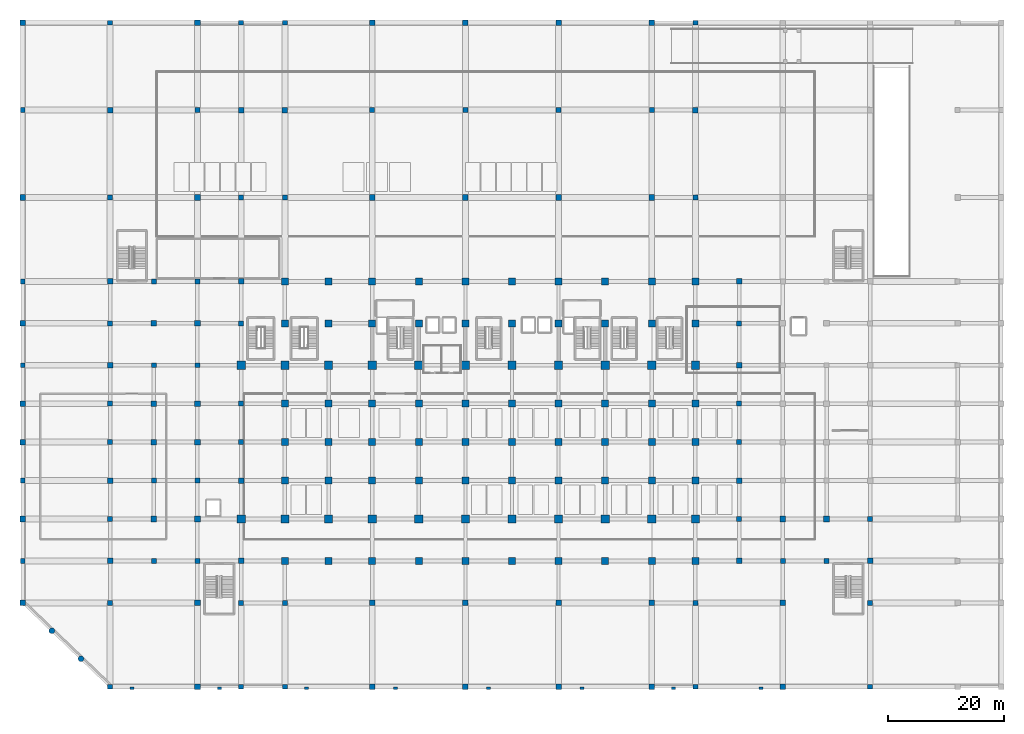
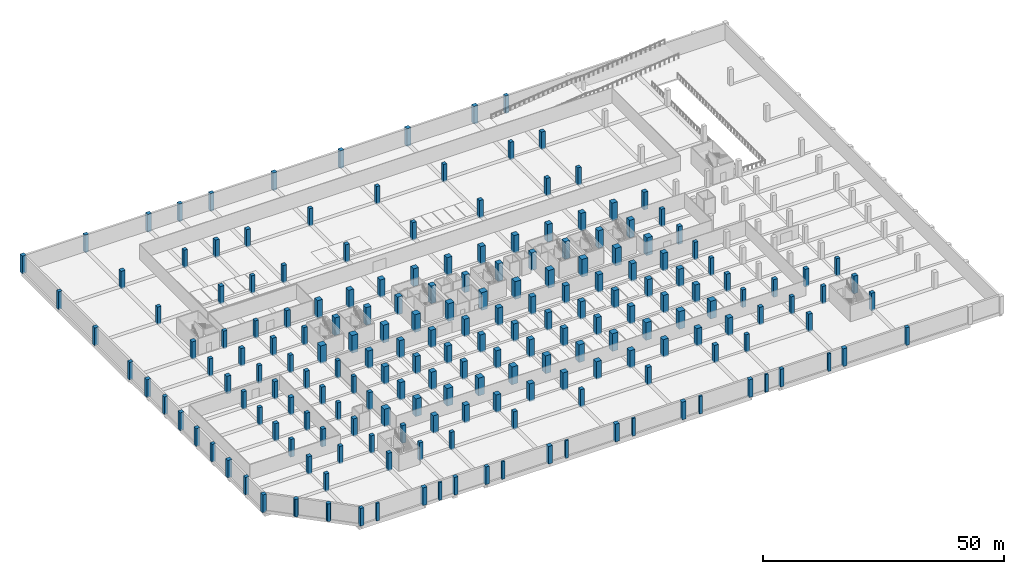
# One storey, part 1 of 25: 197 columns.
"""IFC4 building model written with IfcOpenShell, lengths in metres."""

from ifc_helpers import new_model, si_unit, direction, frame, origin, origin_2d, place, context, subcontext, project, spatial, rectangle, circle, extrude, material, material_profile, profile_set, type_object, element, save


model = new_model("IFC4")

# Units and contexts
model_context = context("Model", 3, precision=1e-05, world=origin(), true_north=direction((0.0, 1.0)))
body_context = subcontext(model_context, "Body", "Model", "MODEL_VIEW")
ifc_project = project(units=[si_unit("LENGTHUNIT", "METRE"), si_unit("AREAUNIT", "SQUARE_METRE"), si_unit("VOLUMEUNIT", "CUBIC_METRE"), si_unit("PLANEANGLEUNIT", "RADIAN"), si_unit("MASSUNIT", "GRAM", prefix="KILO")], contexts=[model_context])

# Site, building, storey
site_placement = place(None, origin())
site = spatial("IfcSite", under=ifc_project, at=site_placement, CompositionType="ELEMENT")
building_placement = place(site_placement, origin())
building = spatial("IfcBuilding", under=site, at=building_placement, Name="Akrevak Sports Hall", CompositionType="ELEMENT")
storey_placement = place(building_placement, frame((0.0, 0.0, -4.5)))
storey = spatial("IfcBuildingStorey", under=building, at=storey_placement, Name="B01", CompositionType="ELEMENT", Elevation=-4.5)

# Columns
ifc_material_1 = material(Name="Concrete C50/60", Category="concrete")
ifc_material_profile_1 = material_profile(ifc_material_1, circle(Radius=0.5, at=origin_2d()), Name="COL D1000", Category="concrete")
ifc_profile_set_1 = profile_set([ifc_material_profile_1], Name="Concrete C50/60")
column_type_1 = type_object("IfcColumnType", Name="STR-COL-D1000", PredefinedType="COLUMN", material=ifc_profile_set_1)
for number, where, z_axis, x_axis, name in (
    (1, (10.0, 4.800048828125, -0.320068359375), (0.0, 0.0, 1.0), (1.0, 0.0, 0.0), "Beaux-Arts Chamfer Colonnade Column CH1 (B01)"),
    (2, (5.0, 9.60009765625, -0.320068359375), (0.0, 0.0, 1.0), (1.0, 0.0, 0.0), "Beaux-Arts Chamfer Colonnade Column CH2 (B01)"),
):
    element("IfcColumn", number, at=place(storey_placement, frame(where, z_axis=z_axis, x_axis=x_axis)), inside=storey, type_object=column_type_1, Name=name, PredefinedType="COLUMN", context=body_context, shape_type="SweptSolid", body=[
        extrude(circle(Radius=0.5, at=origin_2d()), origin(), (0.0, 0.0, 1.0), 4.469970703125),
    ])
ifc_material_profile_2 = material_profile(ifc_material_1, rectangle(XDim=1.199951171875, YDim=1.199951171875, at=origin_2d()), Name="RC 1200x1200", Category="concrete")
ifc_profile_set_2 = profile_set([ifc_material_profile_2], Name="Concrete C50/60")
column_type_2 = type_object("IfcColumnType", Name="STR-COL-RC1200", PredefinedType="COLUMN", material=ifc_profile_set_2)
for number, where, z_axis, x_axis, name in (
    (3, (45.0, 21.60009765625, -0.320068359375), (0.0, 0.0, 1.0), (1.0, 0.0, 0.0), "Column 7/D (B01)"),
    (4, (45.0, 35.39990234375, -0.320068359375), (0.0, 0.0, 1.0), (1.0, 0.0, 0.0), "Column 7/F (B01)"),
    (5, (45.0, 42.0, -0.320068359375), (0.0, 0.0, 1.0), (1.0, 0.0, 0.0), "Column 7/G (B01)"),
    (6, (45.0, 48.60009765625, -0.320068359375), (0.0, 0.0, 1.0), (1.0, 0.0, 0.0), "Column 7/H (B01)"),
    (7, (45.0, 62.39990234375, -0.320068359375), (0.0, 0.0, 1.0), (1.0, 0.0, 0.0), "Column 7/J (B01)"),
    (8, (45.0, 69.60009765625, -0.320068359375), (0.0, 0.0, 1.0), (1.0, 0.0, 0.0), "Column 7/K (B01)"),
    (9, (52.5, 21.60009765625, -0.320068359375), (0.0, 0.0, 1.0), (1.0, 0.0, 0.0), "Column 8/D (B01)"),
    (10, (52.5, 35.39990234375, -0.320068359375), (0.0, 0.0, 1.0), (1.0, 0.0, 0.0), "Column 8/F (B01)"),
    (11, (52.5, 42.0, -0.320068359375), (0.0, 0.0, 1.0), (1.0, 0.0, 0.0), "Column 8/G (B01)"),
    (12, (52.5, 48.60009765625, -0.320068359375), (0.0, 0.0, 1.0), (1.0, 0.0, 0.0), "Column 8/H (B01)"),
    (13, (52.5, 62.39990234375, -0.320068359375), (0.0, 0.0, 1.0), (1.0, 0.0, 0.0), "Column 8/J (B01)"),
    (14, (52.5, 69.60009765625, -0.320068359375), (0.0, 0.0, 1.0), (1.0, 0.0, 0.0), "Column 8/K (B01)"),
    (15, (60.0, 21.60009765625, -0.320068359375), (0.0, 0.0, 1.0), (1.0, 0.0, 0.0), "Column 9/D (B01)"),
    (16, (60.0, 35.39990234375, -0.320068359375), (0.0, 0.0, 1.0), (1.0, 0.0, 0.0), "Column 9/F (B01)"),
    (17, (60.0, 42.0, -0.320068359375), (0.0, 0.0, 1.0), (1.0, 0.0, 0.0), "Column 9/G (B01)"),
    (18, (60.0, 48.60009765625, -0.320068359375), (0.0, 0.0, 1.0), (1.0, 0.0, 0.0), "Column 9/H (B01)"),
    (19, (60.0, 62.39990234375, -0.320068359375), (0.0, 0.0, 1.0), (1.0, 0.0, 0.0), "Column 9/J (B01)"),
    (20, (60.0, 69.60009765625, -0.320068359375), (0.0, 0.0, 1.0), (1.0, 0.0, 0.0), "Column 9/K (B01)"),
    (21, (68.0, 21.60009765625, -0.320068359375), (0.0, 0.0, 1.0), (1.0, 0.0, 0.0), "Column 10/D (B01)"),
    (22, (68.0, 35.39990234375, -0.320068359375), (0.0, 0.0, 1.0), (1.0, 0.0, 0.0), "Column 10/F (B01)"),
    (23, (68.0, 42.0, -0.320068359375), (0.0, 0.0, 1.0), (1.0, 0.0, 0.0), "Column 10/G (B01)"),
    (24, (68.0, 48.60009765625, -0.320068359375), (0.0, 0.0, 1.0), (1.0, 0.0, 0.0), "Column 10/H (B01)"),
    (25, (68.0, 62.39990234375, -0.320068359375), (0.0, 0.0, 1.0), (1.0, 0.0, 0.0), "Column 10/J (B01)"),
    (26, (68.0, 69.60009765625, -0.320068359375), (0.0, 0.0, 1.0), (1.0, 0.0, 0.0), "Column 10/K (B01)"),
    (27, (76.0, 21.60009765625, -0.320068359375), (0.0, 0.0, 1.0), (1.0, 0.0, 0.0), "Column 11/D (B01)"),
    (28, (76.0, 35.39990234375, -0.320068359375), (0.0, 0.0, 1.0), (1.0, 0.0, 0.0), "Column 11/F (B01)"),
    (29, (76.0, 42.0, -0.320068359375), (0.0, 0.0, 1.0), (1.0, 0.0, 0.0), "Column 11/G (B01)"),
    (30, (76.0, 48.60009765625, -0.320068359375), (0.0, 0.0, 1.0), (1.0, 0.0, 0.0), "Column 11/H (B01)"),
    (31, (76.0, 62.39990234375, -0.320068359375), (0.0, 0.0, 1.0), (1.0, 0.0, 0.0), "Column 11/J (B01)"),
    (32, (76.0, 69.60009765625, -0.320068359375), (0.0, 0.0, 1.0), (1.0, 0.0, 0.0), "Column 11/K (B01)"),
    (33, (84.0, 21.60009765625, -0.320068359375), (0.0, 0.0, 1.0), (1.0, 0.0, 0.0), "Column 12/D (B01)"),
    (34, (84.0, 35.39990234375, -0.320068359375), (0.0, 0.0, 1.0), (1.0, 0.0, 0.0), "Column 12/F (B01)"),
    (35, (84.0, 42.0, -0.320068359375), (0.0, 0.0, 1.0), (1.0, 0.0, 0.0), "Column 12/G (B01)"),
    (36, (84.0, 48.60009765625, -0.320068359375), (0.0, 0.0, 1.0), (1.0, 0.0, 0.0), "Column 12/H (B01)"),
    (37, (84.0, 62.39990234375, -0.320068359375), (0.0, 0.0, 1.0), (1.0, 0.0, 0.0), "Column 12/J (B01)"),
    (38, (84.0, 69.60009765625, -0.320068359375), (0.0, 0.0, 1.0), (1.0, 0.0, 0.0), "Column 12/K (B01)"),
    (39, (92.0, 21.60009765625, -0.320068359375), (0.0, 0.0, 1.0), (1.0, 0.0, 0.0), "Column 13/D (B01)"),
    (40, (92.0, 35.39990234375, -0.320068359375), (0.0, 0.0, 1.0), (1.0, 0.0, 0.0), "Column 13/F (B01)"),
    (41, (92.0, 42.0, -0.320068359375), (0.0, 0.0, 1.0), (1.0, 0.0, 0.0), "Column 13/G (B01)"),
    (42, (92.0, 48.60009765625, -0.320068359375), (0.0, 0.0, 1.0), (1.0, 0.0, 0.0), "Column 13/H (B01)"),
    (43, (92.0, 62.39990234375, -0.320068359375), (0.0, 0.0, 1.0), (1.0, 0.0, 0.0), "Column 13/J (B01)"),
    (44, (92.0, 69.60009765625, -0.320068359375), (0.0, 0.0, 1.0), (1.0, 0.0, 0.0), "Column 13/K (B01)"),
    (45, (100.0, 21.60009765625, -0.320068359375), (0.0, 0.0, 1.0), (1.0, 0.0, 0.0), "Column 14/D (B01)"),
    (46, (100.0, 35.39990234375, -0.320068359375), (0.0, 0.0, 1.0), (1.0, 0.0, 0.0), "Column 14/F (B01)"),
    (47, (100.0, 42.0, -0.320068359375), (0.0, 0.0, 1.0), (1.0, 0.0, 0.0), "Column 14/G (B01)"),
    (48, (100.0, 48.60009765625, -0.320068359375), (0.0, 0.0, 1.0), (1.0, 0.0, 0.0), "Column 14/H (B01)"),
    (49, (100.0, 62.39990234375, -0.320068359375), (0.0, 0.0, 1.0), (1.0, 0.0, 0.0), "Column 14/J (B01)"),
    (50, (100.0, 69.60009765625, -0.320068359375), (0.0, 0.0, 1.0), (1.0, 0.0, 0.0), "Column 14/K (B01)"),
    (51, (108.0, 21.60009765625, -0.320068359375), (0.0, 0.0, 1.0), (1.0, 0.0, 0.0), "Column 15/D (B01)"),
    (52, (108.0, 35.39990234375, -0.320068359375), (0.0, 0.0, 1.0), (1.0, 0.0, 0.0), "Column 15/F (B01)"),
    (53, (108.0, 42.0, -0.320068359375), (0.0, 0.0, 1.0), (1.0, 0.0, 0.0), "Column 15/G (B01)"),
    (54, (108.0, 48.60009765625, -0.320068359375), (0.0, 0.0, 1.0), (1.0, 0.0, 0.0), "Column 15/H (B01)"),
    (55, (108.0, 62.39990234375, -0.320068359375), (0.0, 0.0, 1.0), (1.0, 0.0, 0.0), "Column 15/J (B01)"),
    (56, (108.0, 69.60009765625, -0.320068359375), (0.0, 0.0, 1.0), (1.0, 0.0, 0.0), "Column 15/K (B01)"),
    (57, (115.5, 21.60009765625, -0.320068359375), (0.0, 0.0, 1.0), (1.0, 0.0, 0.0), "Column 16/D (B01)"),
    (58, (115.5, 35.39990234375, -0.320068359375), (0.0, 0.0, 1.0), (1.0, 0.0, 0.0), "Column 16/F (B01)"),
    (59, (115.5, 42.0, -0.320068359375), (0.0, 0.0, 1.0), (1.0, 0.0, 0.0), "Column 16/G (B01)"),
    (60, (115.5, 48.60009765625, -0.320068359375), (0.0, 0.0, 1.0), (1.0, 0.0, 0.0), "Column 16/H (B01)"),
    (61, (115.5, 62.39990234375, -0.320068359375), (0.0, 0.0, 1.0), (1.0, 0.0, 0.0), "Column 16/J (B01)"),
    (62, (115.5, 69.60009765625, -0.320068359375), (0.0, 0.0, 1.0), (1.0, 0.0, 0.0), "Column 16/K (B01)"),
):
    element("IfcColumn", number, at=place(storey_placement, frame(where, z_axis=z_axis, x_axis=x_axis)), inside=storey, type_object=column_type_2, Name=name, PredefinedType="COLUMN", context=body_context, shape_type="SweptSolid", body=[
        extrude(rectangle(XDim=1.199951171875, YDim=1.199951171875, at=origin_2d()), origin(), (0.0, 0.0, 1.0), 4.469970703125),
    ])
ifc_material_profile_3 = material_profile(ifc_material_1, rectangle(XDim=1.39990234375, YDim=1.39990234375, at=origin_2d()), Name="RC 1400x1400", Category="concrete")
ifc_profile_set_3 = profile_set([ifc_material_profile_3], Name="Concrete C50/60")
column_type_3 = type_object("IfcColumnType", Name="STR-COL-RC1400", PredefinedType="COLUMN", material=ifc_profile_set_3)
for number, where, z_axis, x_axis, name in (
    (63, (37.5, 28.800048828125, -0.320068359375), (0.0, 0.0, 1.0), (1.0, 0.0, 0.0), "Column 6/E (B01)"),
    (64, (37.5, 55.199951171875, -0.320068359375), (0.0, 0.0, 1.0), (1.0, 0.0, 0.0), "Column 6/I (B01)"),
    (65, (45.0, 28.800048828125, -0.320068359375), (0.0, 0.0, 1.0), (1.0, 0.0, 0.0), "Column 7/E (B01)"),
    (66, (45.0, 55.199951171875, -0.320068359375), (0.0, 0.0, 1.0), (1.0, 0.0, 0.0), "Column 7/I (B01)"),
    (67, (52.5, 28.800048828125, -0.320068359375), (0.0, 0.0, 1.0), (1.0, 0.0, 0.0), "Column 8/E (B01)"),
    (68, (52.5, 55.199951171875, -0.320068359375), (0.0, 0.0, 1.0), (1.0, 0.0, 0.0), "Column 8/I (B01)"),
    (69, (60.0, 28.800048828125, -0.320068359375), (0.0, 0.0, 1.0), (1.0, 0.0, 0.0), "Column 9/E (B01)"),
    (70, (60.0, 55.199951171875, -0.320068359375), (0.0, 0.0, 1.0), (1.0, 0.0, 0.0), "Column 9/I (B01)"),
    (71, (68.0, 28.800048828125, -0.320068359375), (0.0, 0.0, 1.0), (1.0, 0.0, 0.0), "Column 10/E (B01)"),
    (72, (68.0, 55.199951171875, -0.320068359375), (0.0, 0.0, 1.0), (1.0, 0.0, 0.0), "Column 10/I (B01)"),
    (73, (76.0, 28.800048828125, -0.320068359375), (0.0, 0.0, 1.0), (1.0, 0.0, 0.0), "Column 11/E (B01)"),
    (74, (76.0, 55.199951171875, -0.320068359375), (0.0, 0.0, 1.0), (1.0, 0.0, 0.0), "Column 11/I (B01)"),
    (75, (84.0, 28.800048828125, -0.320068359375), (0.0, 0.0, 1.0), (1.0, 0.0, 0.0), "Column 12/E (B01)"),
    (76, (84.0, 55.199951171875, -0.320068359375), (0.0, 0.0, 1.0), (1.0, 0.0, 0.0), "Column 12/I (B01)"),
    (77, (92.0, 28.800048828125, -0.320068359375), (0.0, 0.0, 1.0), (1.0, 0.0, 0.0), "Column 13/E (B01)"),
    (78, (92.0, 55.199951171875, -0.320068359375), (0.0, 0.0, 1.0), (1.0, 0.0, 0.0), "Column 13/I (B01)"),
    (79, (100.0, 28.800048828125, -0.320068359375), (0.0, 0.0, 1.0), (1.0, 0.0, 0.0), "Column 14/E (B01)"),
    (80, (100.0, 55.199951171875, -0.320068359375), (0.0, 0.0, 1.0), (1.0, 0.0, 0.0), "Column 14/I (B01)"),
    (81, (108.0, 28.800048828125, -0.320068359375), (0.0, 0.0, 1.0), (1.0, 0.0, 0.0), "Column 15/E (B01)"),
    (82, (108.0, 55.199951171875, -0.320068359375), (0.0, 0.0, 1.0), (1.0, 0.0, 0.0), "Column 15/I (B01)"),
    (83, (115.5, 28.800048828125, -0.320068359375), (0.0, 0.0, 1.0), (1.0, 0.0, 0.0), "Column 16/E (B01)"),
    (84, (115.5, 55.199951171875, -0.320068359375), (0.0, 0.0, 1.0), (1.0, 0.0, 0.0), "Column 16/I (B01)"),
):
    element("IfcColumn", number, at=place(storey_placement, frame(where, z_axis=z_axis, x_axis=x_axis)), inside=storey, type_object=column_type_3, Name=name, PredefinedType="COLUMN", context=body_context, shape_type="SweptSolid", body=[
        extrude(rectangle(XDim=1.39990234375, YDim=1.39990234375, at=origin_2d()), origin(), (0.0, 0.0, 1.0), 4.469970703125),
    ])
ifc_material_2 = material(Name="Concrete C40/50", Category="concrete")
ifc_material_profile_4 = material_profile(ifc_material_2, rectangle(XDim=0.85009765625, YDim=0.85009765625, at=origin_2d()), Name="RC 850x850", Category="concrete")
ifc_profile_set_4 = profile_set([ifc_material_profile_4], Name="Concrete C40/50")
column_type_4 = type_object("IfcColumnType", Name="STR-COL-RC850", PredefinedType="COLUMN", material=ifc_profile_set_4)
for number, where, z_axis, x_axis, name in (
    (85, (0.0, 21.60009765625, -0.320068359375), (0.0, 0.0, 1.0), (1.0, 0.0, 0.0), "Column 1/D (B01)"),
    (86, (0.0, 35.39990234375, -0.320068359375), (0.0, 0.0, 1.0), (1.0, 0.0, 0.0), "Column 1/F (B01)"),
    (87, (0.0, 55.199951171875, -0.320068359375), (0.0, 0.0, 1.0), (1.0, 0.0, 0.0), "Column 1/I (B01)"),
    (88, (0.0, 69.60009765625, -0.320068359375), (0.0, 0.0, 1.0), (1.0, 0.0, 0.0), "Column 1/K (B01)"),
    (89, (0.0, 99.0, -0.320068359375), (0.0, 0.0, 1.0), (1.0, 0.0, 0.0), "Column 1/O (B01)"),
    (90, (15.0, 0.0, -0.320068359375), (0.0, 0.0, 1.0), (1.0, 0.0, 0.0), "Column 3/A (B01)"),
    (91, (15.0, 14.39990234375, -0.320068359375), (0.0, 0.0, 1.0), (1.0, 0.0, 0.0), "Column 3/C (B01)"),
    (92, (15.0, 28.800048828125, -0.320068359375), (0.0, 0.0, 1.0), (1.0, 0.0, 0.0), "Column 3/E (B01)"),
    (93, (15.0, 42.0, -0.320068359375), (0.0, 0.0, 1.0), (1.0, 0.0, 0.0), "Column 3/G (B01)"),
    (94, (15.0, 48.60009765625, -0.320068359375), (0.0, 0.0, 1.0), (1.0, 0.0, 0.0), "Column 3/H (B01)"),
    (95, (15.0, 62.39990234375, -0.320068359375), (0.0, 0.0, 1.0), (1.0, 0.0, 0.0), "Column 3/J (B01)"),
    (96, (15.0, 84.0, -0.320068359375), (0.0, 0.0, 1.0), (1.0, 0.0, 0.0), "Column 3/M (B01)"),
    (97, (15.0, 114.0, -0.320068359375), (0.0, 0.0, 1.0), (1.0, 0.0, 0.0), "Column 3/Q (B01)"),
    (98, (22.5, 21.60009765625, -0.320068359375), (0.0, 0.0, 1.0), (1.0, 0.0, 0.0), "Column 4/D (B01)"),
    (99, (22.5, 35.39990234375, -0.320068359375), (0.0, 0.0, 1.0), (1.0, 0.0, 0.0), "Column 4/F (B01)"),
    (100, (22.5, 55.199951171875, -0.320068359375), (0.0, 0.0, 1.0), (1.0, 0.0, 0.0), "Column 4/I (B01)"),
    (101, (22.5, 69.60009765625, -0.320068359375), (0.0, 0.0, 1.0), (1.0, 0.0, 0.0), "Column 4/K (B01)"),
    (102, (30.0, 21.60009765625, -0.320068359375), (0.0, 0.0, 1.0), (1.0, 0.0, 0.0), "Column 5/D (B01)"),
    (103, (30.0, 35.39990234375, -0.320068359375), (0.0, 0.0, 1.0), (1.0, 0.0, 0.0), "Column 5/F (B01)"),
    (104, (30.0, 55.199951171875, -0.320068359375), (0.0, 0.0, 1.0), (1.0, 0.0, 0.0), "Column 5/I (B01)"),
    (105, (30.0, 69.60009765625, -0.320068359375), (0.0, 0.0, 1.0), (1.0, 0.0, 0.0), "Column 5/K (B01)"),
    (106, (30.0, 99.0, -0.320068359375), (0.0, 0.0, 1.0), (1.0, 0.0, 0.0), "Column 5/O (B01)"),
    (107, (37.5, 0.0, -0.320068359375), (0.0, 0.0, 1.0), (1.0, 0.0, 0.0), "Column 6/A (B01)"),
    (108, (37.5, 14.39990234375, -0.320068359375), (0.0, 0.0, 1.0), (1.0, 0.0, 0.0), "Column 6/C (B01)"),
    (109, (37.5, 42.0, -0.320068359375), (0.0, 0.0, 1.0), (1.0, 0.0, 0.0), "Column 6/G (B01)"),
    (110, (37.5, 48.60009765625, -0.320068359375), (0.0, 0.0, 1.0), (1.0, 0.0, 0.0), "Column 6/H (B01)"),
    (111, (37.5, 62.39990234375, -0.320068359375), (0.0, 0.0, 1.0), (1.0, 0.0, 0.0), "Column 6/J (B01)"),
    (112, (37.5, 84.0, -0.320068359375), (0.0, 0.0, 1.0), (1.0, 0.0, 0.0), "Column 6/M (B01)"),
    (113, (37.5, 114.0, -0.320068359375), (0.0, 0.0, 1.0), (1.0, 0.0, 0.0), "Column 6/Q (B01)"),
    (114, (45.0, 0.0, -0.320068359375), (0.0, 0.0, 1.0), (1.0, 0.0, 0.0), "Column 7/A (B01)"),
    (115, (45.0, 14.39990234375, -0.320068359375), (0.0, 0.0, 1.0), (1.0, 0.0, 0.0), "Column 7/C (B01)"),
    (116, (45.0, 84.0, -0.320068359375), (0.0, 0.0, 1.0), (1.0, 0.0, 0.0), "Column 7/M (B01)"),
    (117, (45.0, 114.0, -0.320068359375), (0.0, 0.0, 1.0), (1.0, 0.0, 0.0), "Column 7/Q (B01)"),
    (118, (60.0, 99.0, -0.320068359375), (0.0, 0.0, 1.0), (1.0, 0.0, 0.0), "Column 9/O (B01)"),
    (119, (76.0, 99.0, -0.320068359375), (0.0, 0.0, 1.0), (1.0, 0.0, 0.0), "Column 11/O (B01)"),
    (120, (92.0, 99.0, -0.320068359375), (0.0, 0.0, 1.0), (1.0, 0.0, 0.0), "Column 13/O (B01)"),
    (121, (108.0, 99.0, -0.320068359375), (0.0, 0.0, 1.0), (1.0, 0.0, 0.0), "Column 15/O (B01)"),
    (122, (115.5, 0.0, -0.320068359375), (0.0, 0.0, 1.0), (1.0, 0.0, 0.0), "Column 16/A (B01)"),
    (123, (115.5, 14.39990234375, -0.320068359375), (0.0, 0.0, 1.0), (1.0, 0.0, 0.0), "Column 16/C (B01)"),
    (124, (115.5, 84.0, -0.320068359375), (0.0, 0.0, 1.0), (1.0, 0.0, 0.0), "Column 16/M (B01)"),
    (125, (115.5, 114.0, -0.320068359375), (0.0, 0.0, 1.0), (1.0, 0.0, 0.0), "Column 16/Q (B01)"),
    (126, (123.0, 28.800048828125, -0.320068359375), (0.0, 0.0, 1.0), (1.0, 0.0, 0.0), "Column 17/E (B01)"),
    (127, (123.0, 42.0, -0.320068359375), (0.0, 0.0, 1.0), (1.0, 0.0, 0.0), "Column 17/G (B01)"),
    (128, (123.0, 48.60009765625, -0.320068359375), (0.0, 0.0, 1.0), (1.0, 0.0, 0.0), "Column 17/H (B01)"),
    (129, (123.0, 62.39990234375, -0.320068359375), (0.0, 0.0, 1.0), (1.0, 0.0, 0.0), "Column 17/J (B01)"),
    (130, (130.5, 21.60009765625, -0.320068359375), (0.0, 0.0, 1.0), (1.0, 0.0, 0.0), "Column 18/D (B01)"),
    (131, (138.0, 21.60009765625, -0.320068359375), (0.0, 0.0, 1.0), (1.0, 0.0, 0.0), "Column 19/D (B01)"),
    (132, (145.5, 0.0, -0.320068359375), (0.0, 0.0, 1.0), (1.0, 0.0, 0.0), "Column 20/A (B01)"),
    (133, (145.5, 14.39990234375, -0.320068359375), (0.0, 0.0, 1.0), (1.0, 0.0, 0.0), "Column 20/C (B01)"),
    (134, (145.5, 28.800048828125, -0.320068359375), (0.0, 0.0, 1.0), (1.0, 0.0, 0.0), "Column 20/E (B01)"),
):
    element("IfcColumn", number, at=place(storey_placement, frame(where, z_axis=z_axis, x_axis=x_axis)), inside=storey, type_object=column_type_4, Name=name, PredefinedType="COLUMN", context=body_context, shape_type="SweptSolid", body=[
        extrude(rectangle(XDim=0.85009765625, YDim=0.85009765625, at=origin_2d()), origin(), (0.0, 0.0, 1.0), 4.469970703125),
    ])
ifc_material_profile_5 = material_profile(ifc_material_1, rectangle(XDim=0.949951171875, YDim=0.949951171875, at=origin_2d()), Name="RC 950x950", Category="concrete")
ifc_profile_set_5 = profile_set([ifc_material_profile_5], Name="Concrete C50/60")
column_type_5 = type_object("IfcColumnType", Name="STR-COL-RC950", PredefinedType="COLUMN", material=ifc_profile_set_5)
for number, where, z_axis, x_axis, name in (
    (135, (0.0, 14.39990234375, -0.320068359375), (0.0, 0.0, 1.0), (1.0, 0.0, 0.0), "Column 1/C (B01)"),
    (136, (0.0, 28.800048828125, -0.320068359375), (0.0, 0.0, 1.0), (1.0, 0.0, 0.0), "Column 1/E (B01)"),
    (137, (0.0, 42.0, -0.320068359375), (0.0, 0.0, 1.0), (1.0, 0.0, 0.0), "Column 1/G (B01)"),
    (138, (0.0, 48.60009765625, -0.320068359375), (0.0, 0.0, 1.0), (1.0, 0.0, 0.0), "Column 1/H (B01)"),
    (139, (0.0, 62.39990234375, -0.320068359375), (0.0, 0.0, 1.0), (1.0, 0.0, 0.0), "Column 1/J (B01)"),
    (140, (0.0, 84.0, -0.320068359375), (0.0, 0.0, 1.0), (1.0, 0.0, 0.0), "Column 1/M (B01)"),
    (141, (0.0, 114.0, -0.320068359375), (0.0, 0.0, 1.0), (1.0, 0.0, 0.0), "Column 1/Q (B01)"),
    (142, (15.0, 21.60009765625, -0.320068359375), (0.0, 0.0, 1.0), (1.0, 0.0, 0.0), "Column 3/D (B01)"),
    (143, (15.0, 35.39990234375, -0.320068359375), (0.0, 0.0, 1.0), (1.0, 0.0, 0.0), "Column 3/F (B01)"),
    (144, (15.0, 55.199951171875, -0.320068359375), (0.0, 0.0, 1.0), (1.0, 0.0, 0.0), "Column 3/I (B01)"),
    (145, (15.0, 69.60009765625, -0.320068359375), (0.0, 0.0, 1.0), (1.0, 0.0, 0.0), "Column 3/K (B01)"),
    (146, (15.0, 99.0, -0.320068359375), (0.0, 0.0, 1.0), (1.0, 0.0, 0.0), "Column 3/O (B01)"),
    (147, (22.5, 28.800048828125, -0.320068359375), (0.0, 0.0, 1.0), (1.0, 0.0, 0.0), "Column 4/E (B01)"),
    (148, (22.5, 42.0, -0.320068359375), (0.0, 0.0, 1.0), (1.0, 0.0, 0.0), "Column 4/G (B01)"),
    (149, (22.5, 48.60009765625, -0.320068359375), (0.0, 0.0, 1.0), (1.0, 0.0, 0.0), "Column 4/H (B01)"),
    (150, (22.5, 62.39990234375, -0.320068359375), (0.0, 0.0, 1.0), (1.0, 0.0, 0.0), "Column 4/J (B01)"),
    (151, (30.0, 0.0, -0.320068359375), (0.0, 0.0, 1.0), (1.0, 0.0, 0.0), "Column 5/A (B01)"),
    (152, (30.0, 14.39990234375, -0.320068359375), (0.0, 0.0, 1.0), (1.0, 0.0, 0.0), "Column 5/C (B01)"),
    (153, (30.0, 28.800048828125, -0.320068359375), (0.0, 0.0, 1.0), (1.0, 0.0, 0.0), "Column 5/E (B01)"),
    (154, (30.0, 42.0, -0.320068359375), (0.0, 0.0, 1.0), (1.0, 0.0, 0.0), "Column 5/G (B01)"),
    (155, (30.0, 48.60009765625, -0.320068359375), (0.0, 0.0, 1.0), (1.0, 0.0, 0.0), "Column 5/H (B01)"),
    (156, (30.0, 62.39990234375, -0.320068359375), (0.0, 0.0, 1.0), (1.0, 0.0, 0.0), "Column 5/J (B01)"),
    (157, (30.0, 84.0, -0.320068359375), (0.0, 0.0, 1.0), (1.0, 0.0, 0.0), "Column 5/M (B01)"),
    (158, (30.0, 114.0, -0.320068359375), (0.0, 0.0, 1.0), (1.0, 0.0, 0.0), "Column 5/Q (B01)"),
    (159, (37.5, 21.60009765625, -0.320068359375), (0.0, 0.0, 1.0), (1.0, 0.0, 0.0), "Column 6/D (B01)"),
    (160, (37.5, 35.39990234375, -0.320068359375), (0.0, 0.0, 1.0), (1.0, 0.0, 0.0), "Column 6/F (B01)"),
    (161, (37.5, 69.60009765625, -0.320068359375), (0.0, 0.0, 1.0), (1.0, 0.0, 0.0), "Column 6/K (B01)"),
    (162, (37.5, 99.0, -0.320068359375), (0.0, 0.0, 1.0), (1.0, 0.0, 0.0), "Column 6/O (B01)"),
    (163, (45.0, 99.0, -0.320068359375), (0.0, 0.0, 1.0), (1.0, 0.0, 0.0), "Column 7/O (B01)"),
    (164, (60.0, 0.0, -0.320068359375), (0.0, 0.0, 1.0), (1.0, 0.0, 0.0), "Column 9/A (B01)"),
    (165, (60.0, 14.39990234375, -0.320068359375), (0.0, 0.0, 1.0), (1.0, 0.0, 0.0), "Column 9/C (B01)"),
    (166, (60.0, 84.0, -0.320068359375), (0.0, 0.0, 1.0), (1.0, 0.0, 0.0), "Column 9/M (B01)"),
    (167, (60.0, 114.0, -0.320068359375), (0.0, 0.0, 1.0), (1.0, 0.0, 0.0), "Column 9/Q (B01)"),
    (168, (76.0, 0.0, -0.320068359375), (0.0, 0.0, 1.0), (1.0, 0.0, 0.0), "Column 11/A (B01)"),
    (169, (76.0, 14.39990234375, -0.320068359375), (0.0, 0.0, 1.0), (1.0, 0.0, 0.0), "Column 11/C (B01)"),
    (170, (76.0, 84.0, -0.320068359375), (0.0, 0.0, 1.0), (1.0, 0.0, 0.0), "Column 11/M (B01)"),
    (171, (76.0, 114.0, -0.320068359375), (0.0, 0.0, 1.0), (1.0, 0.0, 0.0), "Column 11/Q (B01)"),
    (172, (92.0, 0.0, -0.320068359375), (0.0, 0.0, 1.0), (1.0, 0.0, 0.0), "Column 13/A (B01)"),
    (173, (92.0, 14.39990234375, -0.320068359375), (0.0, 0.0, 1.0), (1.0, 0.0, 0.0), "Column 13/C (B01)"),
    (174, (92.0, 84.0, -0.320068359375), (0.0, 0.0, 1.0), (1.0, 0.0, 0.0), "Column 13/M (B01)"),
    (175, (92.0, 114.0, -0.320068359375), (0.0, 0.0, 1.0), (1.0, 0.0, 0.0), "Column 13/Q (B01)"),
    (176, (108.0, 0.0, -0.320068359375), (0.0, 0.0, 1.0), (1.0, 0.0, 0.0), "Column 15/A (B01)"),
    (177, (108.0, 14.39990234375, -0.320068359375), (0.0, 0.0, 1.0), (1.0, 0.0, 0.0), "Column 15/C (B01)"),
    (178, (108.0, 84.0, -0.320068359375), (0.0, 0.0, 1.0), (1.0, 0.0, 0.0), "Column 15/M (B01)"),
    (179, (108.0, 114.0, -0.320068359375), (0.0, 0.0, 1.0), (1.0, 0.0, 0.0), "Column 15/Q (B01)"),
    (180, (115.5, 99.0, -0.320068359375), (0.0, 0.0, 1.0), (1.0, 0.0, 0.0), "Column 16/O (B01)"),
    (181, (123.0, 21.60009765625, -0.320068359375), (0.0, 0.0, 1.0), (1.0, 0.0, 0.0), "Column 17/D (B01)"),
    (182, (123.0, 35.39990234375, -0.320068359375), (0.0, 0.0, 1.0), (1.0, 0.0, 0.0), "Column 17/F (B01)"),
    (183, (123.0, 55.199951171875, -0.320068359375), (0.0, 0.0, 1.0), (1.0, 0.0, 0.0), "Column 17/I (B01)"),
    (184, (123.0, 69.60009765625, -0.320068359375), (0.0, 0.0, 1.0), (1.0, 0.0, 0.0), "Column 17/K (B01)"),
    (185, (130.5, 0.0, -0.320068359375), (0.0, 0.0, 1.0), (1.0, 0.0, 0.0), "Column 18/A (B01)"),
    (186, (130.5, 14.39990234375, -0.320068359375), (0.0, 0.0, 1.0), (1.0, 0.0, 0.0), "Column 18/C (B01)"),
    (187, (130.5, 28.800048828125, -0.320068359375), (0.0, 0.0, 1.0), (1.0, 0.0, 0.0), "Column 18/E (B01)"),
    (188, (138.0, 28.800048828125, -0.320068359375), (0.0, 0.0, 1.0), (1.0, 0.0, 0.0), "Column 19/E (B01)"),
    (189, (145.5, 21.60009765625, -0.320068359375), (0.0, 0.0, 1.0), (1.0, 0.0, 0.0), "Column 20/D (B01)"),
):
    element("IfcColumn", number, at=place(storey_placement, frame(where, z_axis=z_axis, x_axis=x_axis)), inside=storey, type_object=column_type_5, Name=name, PredefinedType="COLUMN", context=body_context, shape_type="SweptSolid", body=[
        extrude(rectangle(XDim=0.949951171875, YDim=0.949951171875, at=origin_2d()), origin(), (0.0, 0.0, 1.0), 4.469970703125),
    ])
ifc_material_profile_6 = material_profile(ifc_material_2, rectangle(XDim=0.699951171875, YDim=0.449951171875, at=origin_2d()), Name="PIL 700x450", Category="concrete")
ifc_profile_set_6 = profile_set([ifc_material_profile_6], Name="Concrete C40/50")
column_type_6 = type_object("IfcColumnType", Name="STR-PIL-700x450", PredefinedType="PILASTER", material=ifc_profile_set_6)
for number, where, z_axis, x_axis, name in (
    (190, (18.75, -0.260009765625, -0.320068359375), (0.0, 0.0, 1.0), (1.0, 0.0, 0.0), "Beaux-Arts Pilaster S01 (B01)"),
    (191, (33.75, -0.260009765625, -0.320068359375), (0.0, 0.0, 1.0), (1.0, 0.0, 0.0), "Beaux-Arts Pilaster S02 (B01)"),
    (192, (48.75, -0.260009765625, -0.320068359375), (0.0, 0.0, 1.0), (1.0, 0.0, 0.0), "Beaux-Arts Pilaster S03 (B01)"),
    (193, (64.0, -0.260009765625, -0.320068359375), (0.0, 0.0, 1.0), (1.0, 0.0, 0.0), "Beaux-Arts Pilaster S04 (B01)"),
    (194, (80.0, -0.260009765625, -0.320068359375), (0.0, 0.0, 1.0), (1.0, 0.0, 0.0), "Beaux-Arts Pilaster S05 (B01)"),
    (195, (96.0, -0.260009765625, -0.320068359375), (0.0, 0.0, 1.0), (1.0, 0.0, 0.0), "Beaux-Arts Pilaster S06 (B01)"),
    (196, (111.75, -0.260009765625, -0.320068359375), (0.0, 0.0, 1.0), (1.0, 0.0, 0.0), "Beaux-Arts Pilaster S07 (B01)"),
    (197, (126.75, -0.260009765625, -0.320068359375), (0.0, 0.0, 1.0), (1.0, 0.0, 0.0), "Beaux-Arts Pilaster S08 (B01)"),
):
    element("IfcColumn", number, at=place(storey_placement, frame(where, z_axis=z_axis, x_axis=x_axis)), inside=storey, type_object=column_type_6, Name=name, PredefinedType="PILASTER", context=body_context, shape_type="SweptSolid", body=[
        extrude(rectangle(XDim=0.699951171875, YDim=0.449951171875, at=origin_2d()), origin(), (0.0, 0.0, 1.0), 4.469970703125),
    ])

save(model, "model.ifc")
